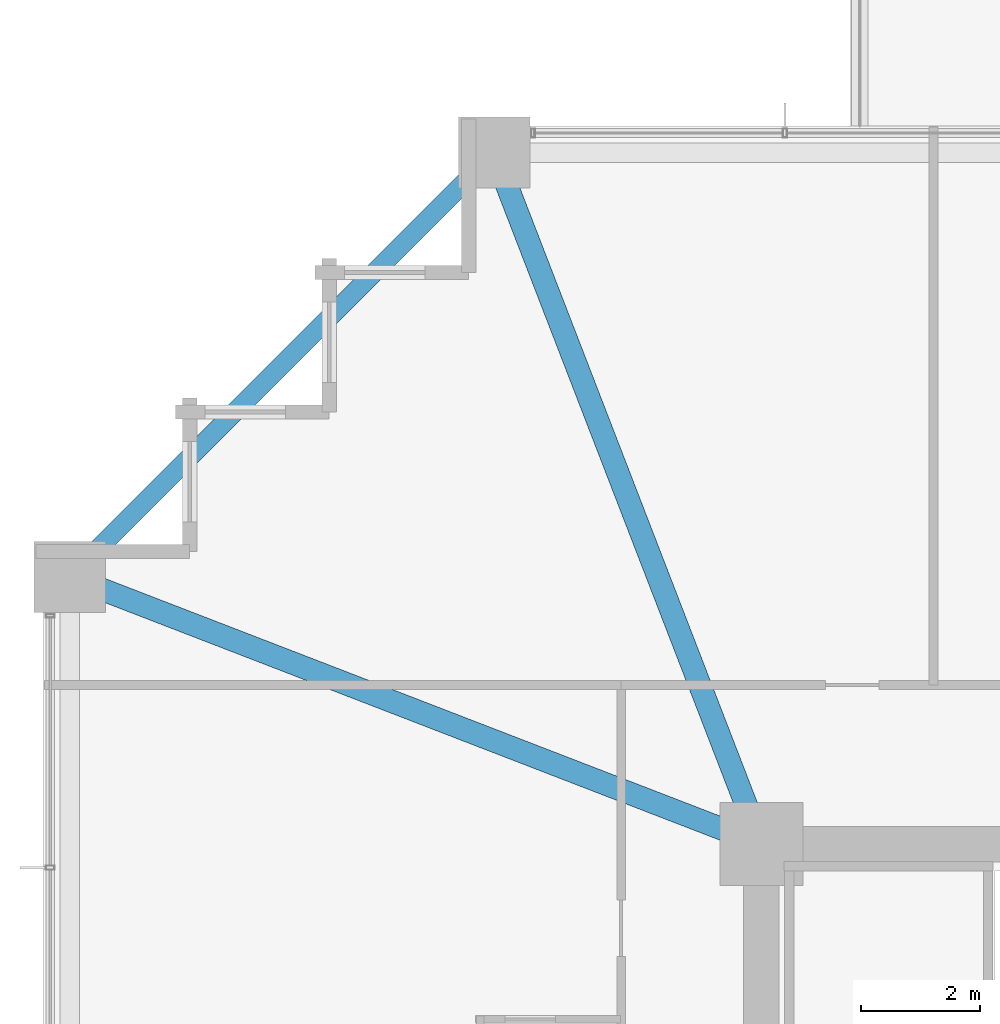
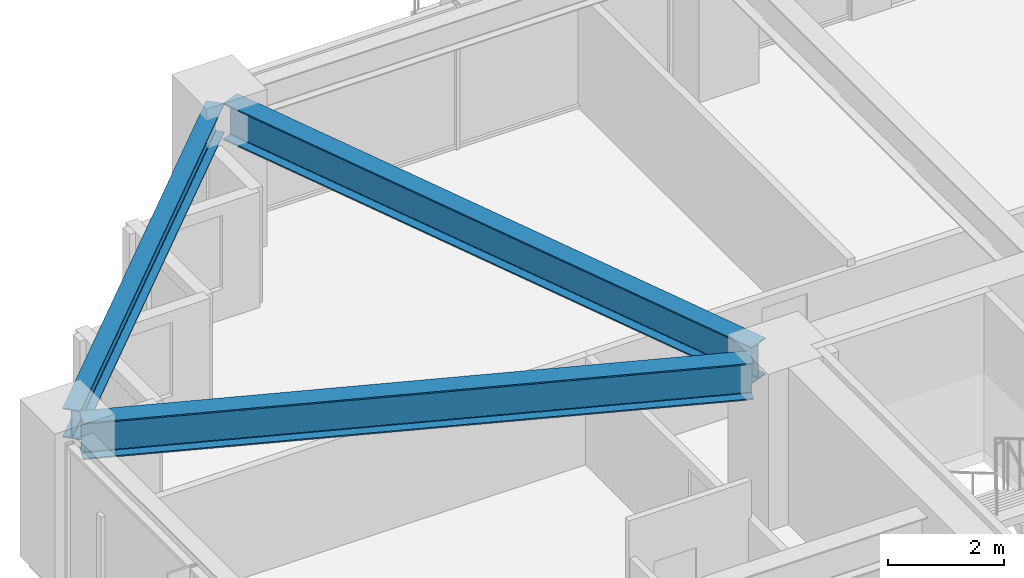
# One storey, part 18 of 38: 3 beams.
"""IFC4 building model written with IfcOpenShell, lengths in metres."""

from ifc_helpers import new_model, si_unit, direction, frame, origin, origin_2d, place, context, subcontext, project, spatial, i_section, extrude, material, material_profile, profile_set, type_object, element, save


model = new_model("IFC4")

# Units and contexts
model_context = context("Model", 3, precision=1e-05, world=origin(), true_north=direction((0.0, 1.0)))
body_context = subcontext(model_context, "Body", "Model", "MODEL_VIEW")
ifc_project = project(units=[si_unit("LENGTHUNIT", "METRE"), si_unit("AREAUNIT", "SQUARE_METRE"), si_unit("VOLUMEUNIT", "CUBIC_METRE"), si_unit("PLANEANGLEUNIT", "RADIAN"), si_unit("MASSUNIT", "GRAM", prefix="KILO")], contexts=[model_context])

# Site, building, storey
site_placement = place(None, origin())
site = spatial("IfcSite", under=ifc_project, at=site_placement, CompositionType="ELEMENT")
building_placement = place(site_placement, origin())
building = spatial("IfcBuilding", under=site, at=building_placement, Name="Kolvaren Belvedere", CompositionType="ELEMENT")
storey_placement = place(building_placement, frame((0.0, 0.0, 30.39990234375)))
storey = spatial("IfcBuildingStorey", under=building, at=storey_placement, Name="L08", CompositionType="ELEMENT", Elevation=30.39990234375)

# Beams
ifc_material_1 = material(Name="Structural steel ASTM A992 Grade 50", Category="steel")
ifc_material_profile_1 = material_profile(ifc_material_1, i_section(OverallWidth=0.381103515625, OverallDepth=0.77294921875, WebThickness=0.0166015625, FlangeThickness=0.027099609375, FilletRadius=0.02392578125, at=origin_2d()), Name="W30X173")
ifc_profile_set_1 = profile_set([ifc_material_profile_1], Name="Structural steel ASTM A992 Grade 50")
beam_type_1 = type_object("IfcBeamType", Name="BM-GIRD-W30X173", PredefinedType="BEAM", material=ifc_profile_set_1)
for number, where, z_axis, x_axis, name in (
    (1, (-10.09814453125, 10.4130859375, 2.673583984375), (-0.360318391835, 0.932829382313, 0.0), (-0.932829382313, -0.360318391835, 0.0), "L08 Corner Core-to-Perimeter Girder CC4-N1"),
    (2, (-10.4130859375, 10.09814453125, 2.673583984375), (-0.932829382313, 0.360318391835, 0.0), (-0.360318391835, -0.932829382313, 0.0), "L08 Corner Core-to-Perimeter Girder CC4-W4"),
):
    element("IfcBeam", number, at=place(storey_placement, frame(where, z_axis=z_axis, x_axis=x_axis)), inside=storey, type_object=beam_type_1, Name=name, PredefinedType="BEAM", context=body_context, shape_type="SweptSolid", body=[
        extrude(i_section(OverallWidth=0.381103515625, OverallDepth=0.77294921875, WebThickness=0.0166015625, FlangeThickness=0.027099609375, FilletRadius=0.02392578125, at=origin_2d()), origin(), (0.0, 0.0, 1.0), 11.698974609375),
    ])
ifc_material_2 = material(Name="Structural steel ASTM A992 Grade 50", Category="steel")
ifc_material_profile_2 = material_profile(ifc_material_2, i_section(OverallWidth=0.324951171875, OverallDepth=0.615966796875, WebThickness=0.013916015625, FlangeThickness=0.021484375, FilletRadius=0.02001953125, at=origin_2d()), Name="W24X117")
ifc_profile_set_2 = profile_set([ifc_material_profile_2], Name="Structural steel ASTM A992 Grade 50")
beam_type_2 = type_object("IfcBeamType", Name="BM-SPAN-W24X117", PredefinedType="SPANDREL", material=ifc_profile_set_2)
beam_placement = place(storey_placement, frame((-14.5908203125, 21.359130859375, 2.752197265625), z_axis=(-0.707106781187, -0.707106781187, 0.0), x_axis=(0.707106781187, -0.707106781187, 0.0)))
element("IfcBeam", 3, at=beam_placement, inside=storey, type_object=beam_type_2, Name="L08 Perimeter Spandrel N1-W4", PredefinedType="SPANDREL", context=body_context, shape_type="SweptSolid", body=[
    extrude(i_section(OverallWidth=0.324951171875, OverallDepth=0.615966796875, WebThickness=0.013916015625, FlangeThickness=0.021484375, FilletRadius=0.02001953125, at=origin_2d()), origin(), (0.0, 0.0, 1.0), 9.57177734375),
])

save(model, "model.ifc")
